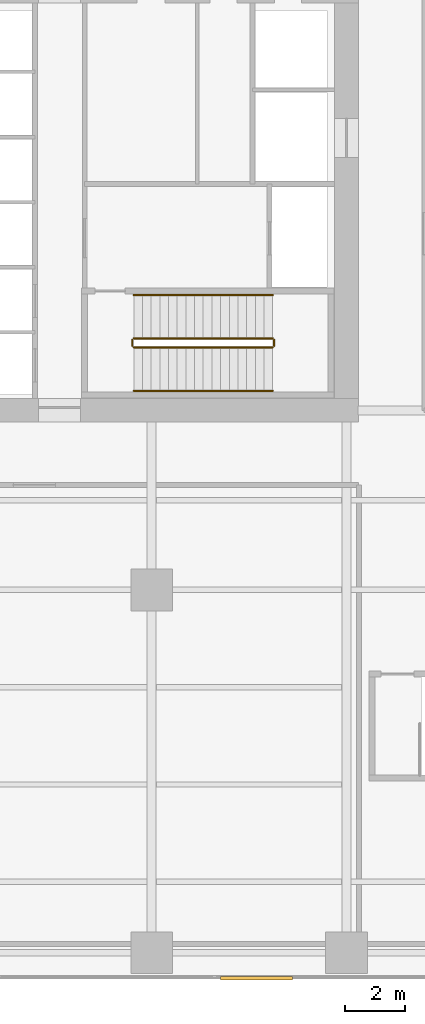
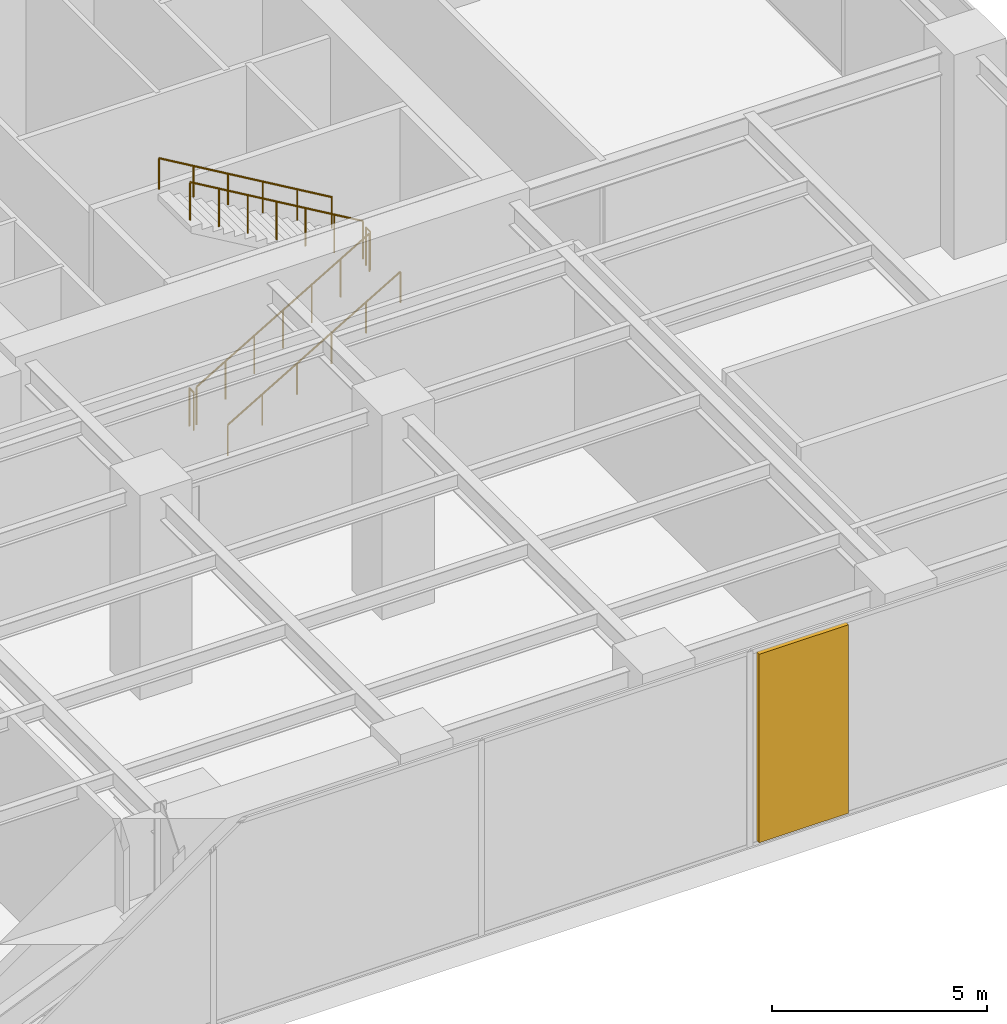
# One storey, part 24 of 25: 6 railings, 1 shading device.
"""IFC4 building model written with IfcOpenShell, lengths in metres."""

from ifc_helpers import new_model, si_unit, direction, frame, origin, origin_2d, place, context, subcontext, project, spatial, rectangle, circle, extrude, material, layer, layer_set, type_object, element, save


model = new_model("IFC4")

# Units and contexts
model_context = context("Model", 3, precision=1e-05, world=origin(), true_north=direction((0.0, 1.0)))
body_context = subcontext(model_context, "Body", "Model", "MODEL_VIEW")
ifc_project = project(units=[si_unit("LENGTHUNIT", "METRE"), si_unit("AREAUNIT", "SQUARE_METRE"), si_unit("VOLUMEUNIT", "CUBIC_METRE"), si_unit("PLANEANGLEUNIT", "RADIAN"), si_unit("MASSUNIT", "GRAM", prefix="KILO")], contexts=[model_context])

# Site, building, storey
site_placement = place(None, origin())
site = spatial("IfcSite", under=ifc_project, at=site_placement, CompositionType="ELEMENT")
building_placement = place(site_placement, origin())
building = spatial("IfcBuilding", under=site, at=building_placement, Name="Putna Gate Headquarters", CompositionType="ELEMENT")
storey_placement = place(building_placement, frame((0.0, 0.0, 22.0)))
storey = spatial("IfcBuildingStorey", under=building, at=storey_placement, Name="L04", CompositionType="ELEMENT", Elevation=22.0)

# Railings
ifc_material_1 = material(Name="Powder-coated steel stair guardrail", Category="steel")
railing_type_1 = type_object("IfcRailingType", Name="RAIL-STAIR-GUARD-1100", PredefinedType="GUARDRAIL", material=ifc_material_1)
railing_1_placement = place(storey_placement, frame((57.89990234375, 21.10009765625, 0.170654296875)))
element("IfcRailing", 1, at=railing_1_placement, inside=storey, type_object=railing_type_1, Name="L04 ST2 stair guard 1", PredefinedType="GUARDRAIL", context=body_context, shape_type="SweptSolid", body=[
    extrude(circle(Radius=0.02392578125, at=origin_2d()), frame((0.0, 0.0, 1.076171875), z_axis=(0.861954034, 0.0, 0.506986433025), x_axis=(0.0, 1.0, 0.0)), (0.0, 0.0, 1.0), 5.38330078125),
    extrude(circle(Radius=0.02099609375, at=origin_2d()), origin(), (0.0, 0.0, 1.0), 1.052001953125),
    extrude(circle(Radius=0.02099609375, at=origin_2d()), frame((0.7734375, 0.0, 0.454833984375)), (0.0, 0.0, 1.0), 1.052001953125),
    extrude(circle(Radius=0.02099609375, at=origin_2d()), frame((1.546630859375, 0.0, 0.90966796875)), (0.0, 0.0, 1.0), 1.052001953125),
    extrude(circle(Radius=0.02099609375, at=origin_2d()), frame((2.320068359375, 0.0, 1.36474609375)), (0.0, 0.0, 1.0), 1.052001953125),
    extrude(circle(Radius=0.02099609375, at=origin_2d()), frame((3.093505859375, 0.0, 1.819580078125)), (0.0, 0.0, 1.0), 1.052001953125),
    extrude(circle(Radius=0.02099609375, at=origin_2d()), frame((3.86669921875, 0.0, 2.2744140625)), (0.0, 0.0, 1.0), 1.052001953125),
    extrude(circle(Radius=0.02099609375, at=origin_2d()), frame((4.64013671875, 0.0, 2.729248046875)), (0.0, 0.0, 1.0), 1.052001953125),
])
railing_2_placement = place(storey_placement, frame((62.590087890625, 21.14990234375, 2.89990234375)))
element("IfcRailing", 2, at=railing_2_placement, inside=storey, type_object=railing_type_1, Name="L04 ST2 stair guard 2", PredefinedType="GUARDRAIL", context=body_context, shape_type="SweptSolid", body=[
    extrude(circle(Radius=0.02392578125, at=origin_2d()), frame((0.0, 0.0, 1.076171875), z_axis=(0.0, 1.0, 0.0), x_axis=(-1.0, 0.0, 0.0)), (0.0, 0.0, 1.0), 0.2001953125),
    extrude(circle(Radius=0.02099609375, at=origin_2d()), origin(), (0.0, 0.0, 1.0), 1.052001953125),
    extrude(circle(Radius=0.02099609375, at=origin_2d()), frame((0.0, 0.2001953125, 0.0)), (0.0, 0.0, 1.0), 1.052001953125),
])
railing_3_placement = place(storey_placement, frame((62.5400390625, 21.39990234375, 3.070556640625)))
element("IfcRailing", 3, at=railing_3_placement, inside=storey, type_object=railing_type_1, Name="L04 ST2 stair guard 3", PredefinedType="GUARDRAIL", context=body_context, shape_type="SweptSolid", body=[
    extrude(circle(Radius=0.02392578125, at=origin_2d()), frame((0.0, 0.0, 1.076171875), z_axis=(-0.861934215158, 0.0, 0.507020126563), x_axis=(0.0, -1.0, 0.0)), (0.0, 0.0, 1.0), 5.38330078125),
    extrude(circle(Radius=0.02099609375, at=origin_2d()), origin(), (0.0, 0.0, 1.0), 1.052001953125),
    extrude(circle(Radius=0.02099609375, at=origin_2d()), frame((-0.7734375, 0.0, 0.454833984375)), (0.0, 0.0, 1.0), 1.052001953125),
    extrude(circle(Radius=0.02099609375, at=origin_2d()), frame((-1.546630859375, 0.0, 0.909912109375)), (0.0, 0.0, 1.0), 1.052001953125),
    extrude(circle(Radius=0.02099609375, at=origin_2d()), frame((-2.320068359375, 0.0, 1.36474609375)), (0.0, 0.0, 1.0), 1.052001953125),
    extrude(circle(Radius=0.02099609375, at=origin_2d()), frame((-3.093505859375, 0.0, 1.819580078125)), (0.0, 0.0, 1.0), 1.052001953125),
    extrude(circle(Radius=0.02099609375, at=origin_2d()), frame((-3.86669921875, 0.0, 2.274658203125)), (0.0, 0.0, 1.0), 1.052001953125),
    extrude(circle(Radius=0.02099609375, at=origin_2d()), frame((-4.64013671875, 0.0, 2.7294921875)), (0.0, 0.0, 1.0), 1.052001953125),
])
railing_4_placement = place(storey_placement, frame((57.85009765625, 21.14990234375, 0.0)))
element("IfcRailing", 4, at=railing_4_placement, inside=storey, type_object=railing_type_1, Name="L04 ST2 stair guard 4", PredefinedType="GUARDRAIL", context=body_context, shape_type="SweptSolid", body=[
    extrude(circle(Radius=0.02392578125, at=origin_2d()), frame((0.0, 0.0, 1.076171875), z_axis=(0.0, 1.0, 0.0), x_axis=(-1.0, 0.0, 0.0)), (0.0, 0.0, 1.0), 0.2001953125),
    extrude(circle(Radius=0.02099609375, at=origin_2d()), origin(), (0.0, 0.0, 1.0), 1.052001953125),
    extrude(circle(Radius=0.02099609375, at=origin_2d()), frame((0.0, 0.2001953125, 0.0)), (0.0, 0.0, 1.0), 1.052001953125),
])
ifc_material_2 = material(Name="Brushed stainless steel handrail", Category="steel")
railing_type_2 = type_object("IfcRailingType", Name="RAIL-STAIR-HAND-900", PredefinedType="HANDRAIL", material=ifc_material_2)
railing_5_placement = place(storey_placement, frame((57.89990234375, 19.64990234375, 0.170654296875)))
element("IfcRailing", 5, at=railing_5_placement, inside=storey, type_object=railing_type_2, Name="L04 ST2 stair handrail 1", PredefinedType="HANDRAIL", context=body_context, shape_type="SweptSolid", body=[
    extrude(circle(Radius=0.02392578125, at=origin_2d()), frame((0.0, 0.0, 0.8759765625), z_axis=(0.861954034, 0.0, 0.506986433025), x_axis=(0.0, 1.0, 0.0)), (0.0, 0.0, 1.0), 5.38330078125),
    extrude(circle(Radius=0.02099609375, at=origin_2d()), origin(), (0.0, 0.0, 1.0), 0.851806640625),
    extrude(circle(Radius=0.02099609375, at=origin_2d()), frame((0.927978515625, 0.0, 0.5458984375)), (0.0, 0.0, 1.0), 0.851806640625),
    extrude(circle(Radius=0.02099609375, at=origin_2d()), frame((1.85595703125, 0.0, 1.091796875)), (0.0, 0.0, 1.0), 0.851806640625),
    extrude(circle(Radius=0.02099609375, at=origin_2d()), frame((2.7841796875, 0.0, 1.637451171875)), (0.0, 0.0, 1.0), 0.851806640625),
    extrude(circle(Radius=0.02099609375, at=origin_2d()), frame((3.712158203125, 0.0, 2.183349609375)), (0.0, 0.0, 1.0), 0.851806640625),
    extrude(circle(Radius=0.02099609375, at=origin_2d()), frame((4.64013671875, 0.0, 2.729248046875)), (0.0, 0.0, 1.0), 0.851806640625),
])
railing_6_placement = place(storey_placement, frame((62.5400390625, 22.85009765625, 3.070556640625)))
element("IfcRailing", 6, at=railing_6_placement, inside=storey, type_object=railing_type_2, Name="L04 ST2 stair handrail 2", PredefinedType="HANDRAIL", context=body_context, shape_type="SweptSolid", body=[
    extrude(circle(Radius=0.02392578125, at=origin_2d()), frame((0.0, 0.0, 0.8759765625), z_axis=(-0.861934215158, 0.0, 0.507020126563), x_axis=(0.0, -1.0, 0.0)), (0.0, 0.0, 1.0), 5.38330078125),
    extrude(circle(Radius=0.02099609375, at=origin_2d()), origin(), (0.0, 0.0, 1.0), 0.851806640625),
    extrude(circle(Radius=0.02099609375, at=origin_2d()), frame((-0.927978515625, 0.0, 0.5458984375)), (0.0, 0.0, 1.0), 0.851806640625),
    extrude(circle(Radius=0.02099609375, at=origin_2d()), frame((-1.85595703125, 0.0, 1.091796875)), (0.0, 0.0, 1.0), 0.851806640625),
    extrude(circle(Radius=0.02099609375, at=origin_2d()), frame((-2.7841796875, 0.0, 1.6376953125)), (0.0, 0.0, 1.0), 0.851806640625),
    extrude(circle(Radius=0.02099609375, at=origin_2d()), frame((-3.712158203125, 0.0, 2.18359375)), (0.0, 0.0, 1.0), 0.851806640625),
    extrude(circle(Radius=0.02099609375, at=origin_2d()), frame((-4.64013671875, 0.0, 2.7294921875)), (0.0, 0.0, 1.0), 0.851806640625),
])

# Shading device
ifc_material_3 = material(Name="Anodised bronze acoustic weather louvre", Category="aluminium")
ifc_layer = layer(ifc_material_3, 0.1201171875)
ifc_layer_set = layer_set([ifc_layer], Name="Anodised bronze acoustic weather louvre")
shading_device_type = type_object("IfcShadingDeviceType", Name="SHADE-PLANT-LOUVRE", PredefinedType="JALOUSIE", material=ifc_layer_set)
shading_device_placement = place(storey_placement, frame((62.0, 0.030029296875, 0.099853515625), z_axis=(0.0, 0.0, 1.0), x_axis=(1.0, 0.0, 0.0)))
element("IfcShadingDevice", 7, at=shading_device_placement, inside=storey, type_object=shading_device_type, Name="L04 Bronze Acoustic Louvre S3", PredefinedType="JALOUSIE", context=body_context, shape_type="SweptSolid", body=[
    extrude(rectangle(XDim=2.39990234375, YDim=0.1201171875, at=origin_2d()), origin(), (0.0, 0.0, 1.0), 5.35009765625),
])

save(model, "model.ifc")
